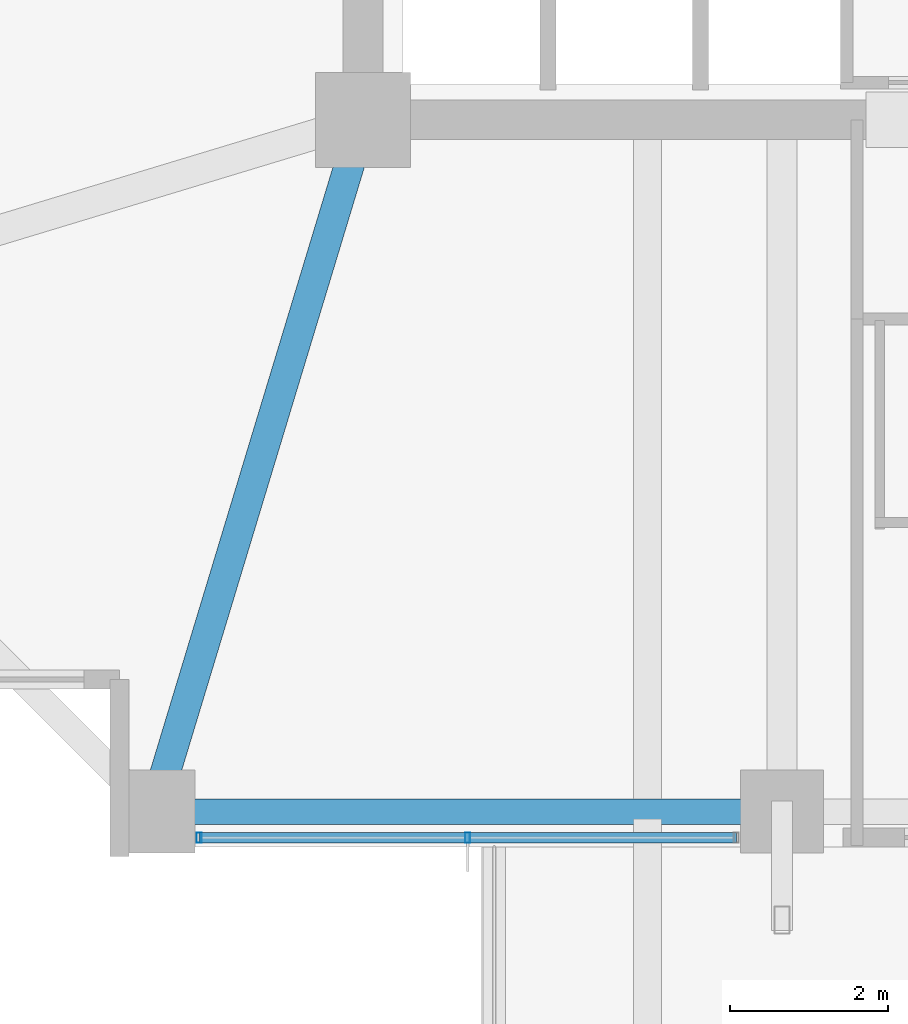
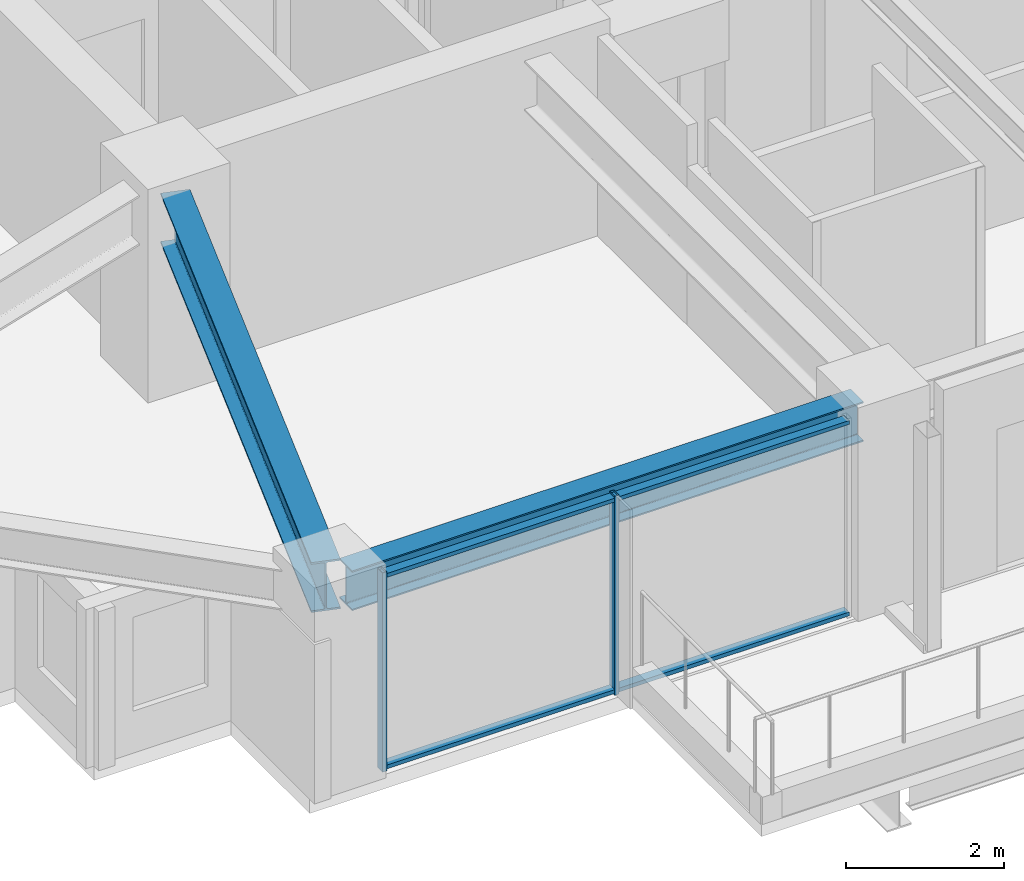
# One storey, part 2 of 38: 4 members, 2 beams, 1 element without a shape of its own.
"""IFC4 building model written with IfcOpenShell, lengths in metres."""

from ifc_helpers import new_model, si_unit, direction, frame, origin, origin_2d, place, context, subcontext, project, spatial, hollow_rectangle, i_section, extrude, material, material_profile, profile_set, type_object, element, aggregate, save


model = new_model("IFC4")

# Units and contexts
model_context = context("Model", 3, precision=1e-05, world=origin(), true_north=direction((0.0, 1.0)))
body_context = subcontext(model_context, "Body", "Model", "MODEL_VIEW")
ifc_project = project(units=[si_unit("LENGTHUNIT", "METRE"), si_unit("AREAUNIT", "SQUARE_METRE"), si_unit("VOLUMEUNIT", "CUBIC_METRE"), si_unit("PLANEANGLEUNIT", "RADIAN"), si_unit("MASSUNIT", "GRAM", prefix="KILO")], contexts=[model_context])

# Site, building, storey
site_placement = place(None, origin())
site = spatial("IfcSite", under=ifc_project, at=site_placement, CompositionType="ELEMENT")
building_placement = place(site_placement, origin())
building = spatial("IfcBuilding", under=site, at=building_placement, Name="Kolvaren Belvedere", CompositionType="ELEMENT")
storey_placement = place(building_placement, frame((0.0, 0.0, 121.699951171875)))
storey = spatial("IfcBuildingStorey", under=building, at=storey_placement, Name="L35", CompositionType="ELEMENT", Elevation=121.699951171875)

# Beams
ifc_material_1 = material(Name="Structural steel ASTM A992 Grade 50", Category="steel")
ifc_material_profile_1 = material_profile(ifc_material_1, i_section(OverallWidth=0.381103515625, OverallDepth=0.77294921875, WebThickness=0.0166015625, FlangeThickness=0.027099609375, FilletRadius=0.02392578125, at=origin_2d()), Name="W30X173")
ifc_profile_set_1 = profile_set([ifc_material_profile_1], Name="Structural steel ASTM A992 Grade 50")
beam_type_1 = type_object("IfcBeamType", Name="BM-GIRD-W30X173", PredefinedType="BEAM", material=ifc_profile_set_1)
beam_1_placement = place(storey_placement, frame((-10.059326171875, -10.426513671875, 2.693603515625), z_axis=(-0.289858652454, -0.957069465398, 0.0), x_axis=(0.957069465398, -0.289858652454, 0.0)))
element("IfcBeam", 1, at=beam_1_placement, inside=storey, type_object=beam_type_1, Name="L35 Corner Core-to-Perimeter Girder CC1-S1", PredefinedType="BEAM", context=body_context, shape_type="SweptSolid", body=[
    extrude(i_section(OverallWidth=0.381103515625, OverallDepth=0.77294921875, WebThickness=0.0166015625, FlangeThickness=0.027099609375, FilletRadius=0.02392578125, at=origin_2d()), origin(), (0.0, 0.0, 1.0), 8.38232421875),
])
ifc_material_2 = material(Name="Structural steel ASTM A992 Grade 50", Category="steel")
ifc_material_profile_2 = material_profile(ifc_material_2, i_section(OverallWidth=0.324951171875, OverallDepth=0.615966796875, WebThickness=0.013916015625, FlangeThickness=0.021484375, FilletRadius=0.02001953125, at=origin_2d()), Name="W24X117")
ifc_profile_set_2 = profile_set([ifc_material_profile_2], Name="Structural steel ASTM A992 Grade 50")
beam_type_2 = type_object("IfcBeamType", Name="BM-SPAN-W24X117", PredefinedType="SPANDREL", material=ifc_profile_set_2)
beam_2_placement = place(storey_placement, frame((-12.313720703125, -18.64990234375, 2.77197265625), z_axis=(1.0, 0.0, 0.0), x_axis=(0.0, 1.0, 0.0)))
element("IfcBeam", 2, at=beam_2_placement, inside=storey, type_object=beam_type_2, Name="L35 Perimeter Spandrel S1-S2", PredefinedType="SPANDREL", context=body_context, shape_type="SweptSolid", body=[
    extrude(i_section(OverallWidth=0.324951171875, OverallDepth=0.615966796875, WebThickness=0.013916015625, FlangeThickness=0.021484375, FilletRadius=0.02001953125, at=origin_2d()), origin(), (0.0, 0.0, 1.0), 7.4775390625),
])

# Curtain wall, members
ifc_material_3 = material(Name="Anodised pale-metal aluminium AA 6063-T6", Category="aluminium")
curtain_wall_type = type_object("IfcCurtainWallType", Name="CW-Z3-WAIST", PredefinedType="NOTDEFINED", material=ifc_material_3)
curtain_wall_placement = place(storey_placement, origin())
curtain_wall = element("IfcCurtainWall", 3, at=curtain_wall_placement, inside=storey, type_object=curtain_wall_type, Name="L35 Unitised Curtain Wall FCW-L35-S2", PredefinedType="NOTDEFINED")
ifc_material_4 = material(Name="Anodised pale-metal aluminium AA 6063-T6", Category="aluminium")
ifc_material_profile_3 = material_profile(ifc_material_4, hollow_rectangle(XDim=0.06494140625, YDim=0.1298828125, WallThickness=0.00390625, at=origin_2d()), Name="ALU-MUL-130X65")
ifc_profile_set_3 = profile_set([ifc_material_profile_3], Name="Anodised pale-metal aluminium AA 6063-T6")
member_type_1 = type_object("IfcMemberType", Name="CW-MUL-130", PredefinedType="MULLION", material=ifc_profile_set_3)
member_1_placement = place(storey_placement, frame((-8.574951171875, -18.97998046875, 0.0), z_axis=(0.0, 0.0, 1.0), x_axis=(1.0, 0.0, 0.0)))
member_1 = element("IfcMember", 4, at=member_1_placement, type_object=member_type_1, Name="FCW-L35-S2 Unitised Mullion 2", PredefinedType="MULLION", context=body_context, shape_type="SweptSolid", body=[
    extrude(hollow_rectangle(XDim=0.06494140625, YDim=0.1298828125, WallThickness=0.00390625, at=origin_2d()), origin(), (0.0, 0.0, 1.0), 3.080078125),
])
member_2_placement = place(storey_placement, frame((-11.972412109375, -18.97998046875, 0.0), z_axis=(0.0, 0.0, 1.0), x_axis=(1.0, 0.0, 0.0)))
member_2 = element("IfcMember", 5, at=member_2_placement, type_object=member_type_1, Name="FCW-L35-S2 Unitised Mullion 3", PredefinedType="MULLION", context=body_context, shape_type="SweptSolid", body=[
    extrude(hollow_rectangle(XDim=0.06494140625, YDim=0.1298828125, WallThickness=0.00390625, at=origin_2d()), origin(), (0.0, 0.0, 1.0), 3.080078125),
])
ifc_material_5 = material(Name="Anodised pale-metal aluminium AA 6063-T6", Category="aluminium")
ifc_material_profile_4 = material_profile(ifc_material_5, hollow_rectangle(XDim=0.06005859375, YDim=0.1298828125, WallThickness=0.00390625, at=origin_2d()), Name="ALU-TRN-130X60")
ifc_profile_set_4 = profile_set([ifc_material_profile_4], Name="Anodised pale-metal aluminium AA 6063-T6")
member_type_2 = type_object("IfcMemberType", Name="CW-TRN-130", PredefinedType="USERDEFINED", material=ifc_profile_set_4)
member_3_placement = place(storey_placement, frame((-5.177490234375, -18.97998046875, 0.06005859375), z_axis=(-1.0, 0.0, 0.0), x_axis=(0.0, 0.0, 1.0)))
member_3 = element("IfcMember", 6, at=member_3_placement, type_object=member_type_2, Name="FCW-L35-S2 Sill Transom", ObjectType="TRANSOM", PredefinedType="USERDEFINED", context=body_context, shape_type="SweptSolid", body=[
    extrude(hollow_rectangle(XDim=0.06005859375, YDim=0.1298828125, WallThickness=0.00390625, at=origin_2d()), origin(), (0.0, 0.0, 1.0), 6.794921875),
])
member_4_placement = place(storey_placement, frame((-5.177490234375, -18.97998046875, 3.02001953125), z_axis=(-1.0, 0.0, 0.0), x_axis=(0.0, 0.0, 1.0)))
member_4 = element("IfcMember", 7, at=member_4_placement, type_object=member_type_2, Name="FCW-L35-S2 Head Transom", ObjectType="TRANSOM", PredefinedType="USERDEFINED", context=body_context, shape_type="SweptSolid", body=[
    extrude(hollow_rectangle(XDim=0.06005859375, YDim=0.1298828125, WallThickness=0.00390625, at=origin_2d()), origin(), (0.0, 0.0, 1.0), 6.794921875),
])
aggregate(curtain_wall, [member_1, member_2, member_3, member_4])

save(model, "model.ifc")
